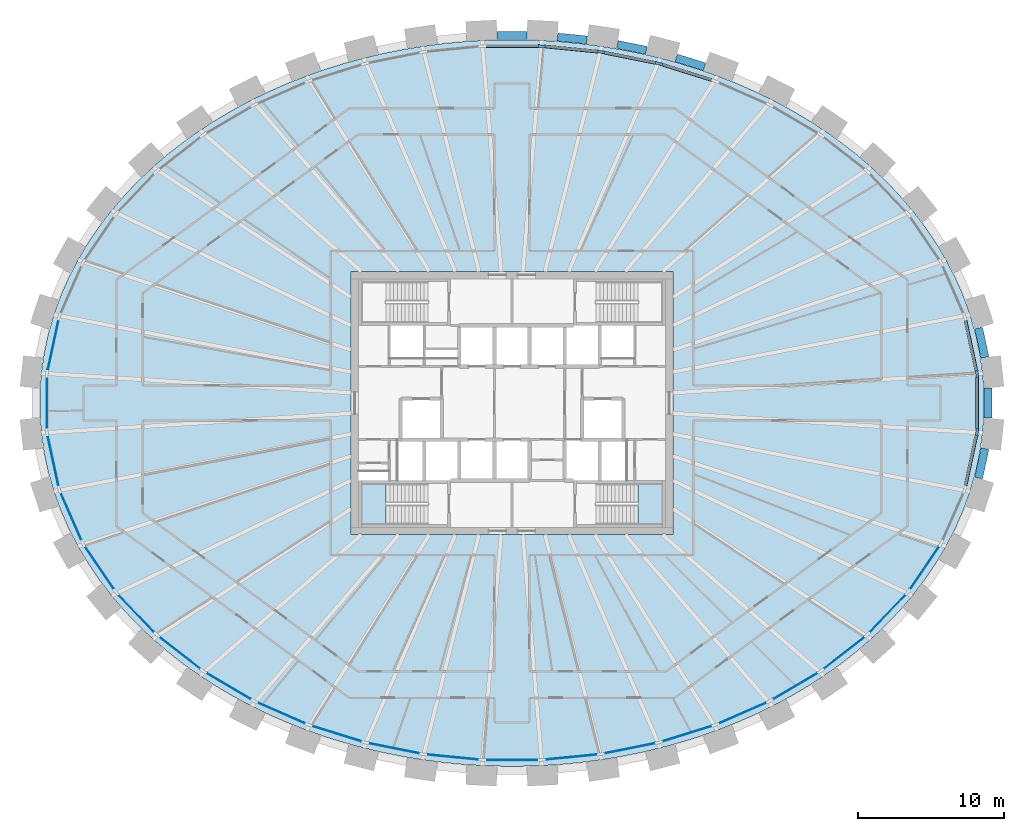
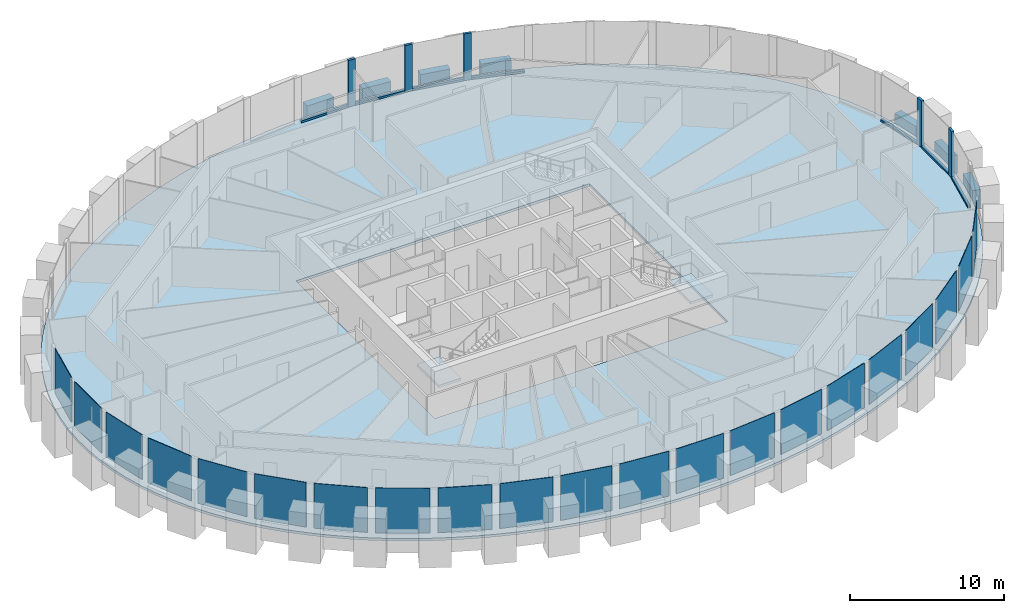
# One storey, part 4 of 12: 21 plates, 12 members, 7 beams, 3 slabs, 3 elements without a shape of their own.
"""IFC4 building model written with IfcOpenShell, lengths in metres."""

from ifc_helpers import new_model, si_unit, direction, frame, origin, origin_2d, place, context, subcontext, project, spatial, polyline, rectangle, outline, extrude, source, transform, mapped, material, layer, layer_set, material_profile, profile_set, type_object, element, aggregate, save


model = new_model("IFC4")

# Units and contexts
model_context = context("Model", 3, precision=1e-05, world=origin(), true_north=direction((0.0, 1.0)))
body_context = subcontext(model_context, "Body", "Model", "MODEL_VIEW")
ifc_project = project(units=[si_unit("LENGTHUNIT", "METRE"), si_unit("AREAUNIT", "SQUARE_METRE"), si_unit("VOLUMEUNIT", "CUBIC_METRE"), si_unit("PLANEANGLEUNIT", "RADIAN"), si_unit("MASSUNIT", "GRAM", prefix="KILO")], contexts=[model_context])

# Site, building, storey
site_placement = place(None, origin())
site = spatial("IfcSite", under=ifc_project, at=site_placement, CompositionType="ELEMENT")
building_placement = place(site_placement, origin())
building = spatial("IfcBuilding", under=site, at=building_placement, Name="Embergate Tower", CompositionType="ELEMENT")
storey_placement = place(building_placement, frame((0.0, 0.0, 261.699951171875)))
storey = spatial("IfcBuildingStorey", under=building, at=storey_placement, Name="L60", CompositionType="ELEMENT", Elevation=261.699951171875)

# Beams
ifc_material_1 = material(Name="Concrete C60", Category="concrete")
ifc_material_profile_1 = material_profile(ifc_material_1, rectangle(XDim=0.550048828125, YDim=1.5, at=origin_2d()), Name="RC 550x1500")
ifc_profile_set_1 = profile_set([ifc_material_profile_1], Name="Concrete C60")
beam_type = type_object("IfcBeamType", Name="Spandrel beam RC 550x1500 C60", PredefinedType="BEAM", material=ifc_profile_set_1)
shared_shape_1 = source(origin(), body_context, "Body", "SweptSolid", [
    extrude(rectangle(XDim=0.550048828125, YDim=1.5, at=origin_2d()), origin(), (0.0, 0.0, 1.0), 2.05810546875),
])
for number, where, z_axis, x_axis, name in (
    (1, (32.343994140625, 3.116943359375, 0.0), (-0.210444450804, 0.977605816843, 0.0), (-0.977605816843, -0.210444450804, 0.0), "SPN-L60-00"),
    (2, (31.910888671875, -5.12890625, 0.0), (0.210444450804, 0.977605816843, 0.0), (-0.977605816843, 0.210444450804, 0.0), "SPN-L60-42"),
    (3, (32.56591796875, -1.029052734375, 0.0), (0.0, 1.0, 0.0), (-1.0, 0.0, 0.0), "SPN-L60-43"),
):
    element("IfcBeam", number, at=place(storey_placement, frame(where, z_axis=z_axis, x_axis=x_axis)), inside=storey, type_object=beam_type, Name=name, PredefinedType="BEAM", context=body_context, shape_type="MappedRepresentation", body=[
        mapped(shared_shape_1, transform((0.0, 0.0, 0.0))),
    ])
shared_shape_2 = source(origin(), body_context, "Body", "SweptSolid", [
    extrude(rectangle(XDim=0.550048828125, YDim=1.5, at=origin_2d()), origin(), (0.0, 0.0, 1.0), 2.02880859375),
])
beam_1_placement = place(storey_placement, frame((13.1640625, 22.9990234375, 0.0), z_axis=(-0.954800624546, 0.297246980417, 0.0), x_axis=(-0.297246980417, -0.954800624546, 0.0)))
element("IfcBeam", 4, at=beam_1_placement, inside=storey, type_object=beam_type, Name="SPN-L60-07", PredefinedType="BEAM", context=body_context, shape_type="MappedRepresentation", body=[
    mapped(shared_shape_2, transform((0.0, 0.0, 0.0))),
])
shared_shape_3 = source(origin(), body_context, "Body", "SweptSolid", [
    extrude(rectangle(XDim=0.550048828125, YDim=1.5, at=origin_2d()), origin(), (0.0, 0.0, 1.0), 2.02734375),
])
beam_2_placement = place(storey_placement, frame((9.19189453125, 24.1220703125, 0.0), z_axis=(-0.980543602706, 0.196301409041, 0.0), x_axis=(-0.196301409041, -0.980543602706, 0.0)))
element("IfcBeam", 5, at=beam_2_placement, inside=storey, type_object=beam_type, Name="SPN-L60-08", PredefinedType="BEAM", context=body_context, shape_type="MappedRepresentation", body=[
    mapped(shared_shape_3, transform((0.0, 0.0, 0.0))),
])
shared_shape_4 = source(origin(), body_context, "Body", "SweptSolid", [
    extrude(rectangle(XDim=0.550048828125, YDim=1.5, at=origin_2d()), origin(), (0.0, 0.0, 1.0), 2.025634765625),
])
beam_3_placement = place(storey_placement, frame((5.126953125, 24.830078125, 0.0), z_axis=(-0.995211067802, 0.097749324935, 0.0), x_axis=(-0.097749324935, -0.995211067802, 0.0)))
element("IfcBeam", 6, at=beam_3_placement, inside=storey, type_object=beam_type, Name="SPN-L60-09", PredefinedType="BEAM", context=body_context, shape_type="MappedRepresentation", body=[
    mapped(shared_shape_4, transform((0.0, 0.0, 0.0))),
])
shared_shape_5 = source(origin(), body_context, "Body", "SweptSolid", [
    extrude(rectangle(XDim=0.550048828125, YDim=1.5, at=origin_2d()), origin(), (0.0, 0.0, 1.0), 2.02587890625),
])
beam_4_placement = place(storey_placement, frame((1.012939453125, 25.131103515625, 0.0), z_axis=(-1.0, 0.0, 0.0), x_axis=(0.0, -1.0, 0.0)))
element("IfcBeam", 7, at=beam_4_placement, inside=storey, type_object=beam_type, Name="SPN-L60-10", PredefinedType="BEAM", context=body_context, shape_type="MappedRepresentation", body=[
    mapped(shared_shape_5, transform((0.0, 0.0, 0.0))),
])

# Curtain wall, members
ifc_material_2 = material(Name="Aluminium and glass", Category="aluminium")
curtain_wall_type = type_object("IfcCurtainWallType", Name="Recessed office glazing", PredefinedType="NOTDEFINED", material=ifc_material_2)
curtain_wall_placement = place(storey_placement, origin())
curtain_wall = element("IfcCurtainWall", 8, at=curtain_wall_placement, inside=storey, type_object=curtain_wall_type, Name="Recessed office glazing ring", ObjectType="RECESSED OFFICE GLAZING", PredefinedType="USERDEFINED")
ifc_material_3 = material(Name="Aluminium, thermally broken", Category="aluminium")
ifc_material_profile_2 = material_profile(ifc_material_3, rectangle(XDim=0.179931640625, YDim=0.52001953125, at=origin_2d()), Name="AL 520x180")
ifc_profile_set_2 = profile_set([ifc_material_profile_2], Name="Aluminium, thermally broken")
member_type_1 = type_object("IfcMemberType", Name="Office mullion", PredefinedType="MULLION", material=ifc_profile_set_2)
shared_shape_6 = source(origin(), body_context, "Body", "SweptSolid", [
    extrude(rectangle(XDim=0.179931640625, YDim=0.52001953125, at=origin_2d()), origin(), (0.0, 0.0, 1.0), 3.699951171875),
])
member_1_placement = place(storey_placement, frame((31.802490234375, 2.003173828125, 0.0), z_axis=(0.0, 0.0, 1.0), x_axis=(-0.994384400633, -0.105828463931, 0.0)))
member_1 = element("IfcMember", 9, at=member_1_placement, type_object=member_type_1, Name="CW mullion 1", PredefinedType="MULLION", context=body_context, shape_type="MappedRepresentation", body=[
    mapped(shared_shape_6, transform((0.0, 0.0, 0.0))),
])
member_2_placement = place(storey_placement, frame((10.0439453125, 23.2119140625, 0.0), z_axis=(0.0, 0.0, 1.0), x_axis=(-0.247308499144, -0.96893679167, 0.0)))
member_2 = element("IfcMember", 10, at=member_2_placement, type_object=member_type_1, Name="CW mullion 9", PredefinedType="MULLION", context=body_context, shape_type="MappedRepresentation", body=[
    mapped(shared_shape_6, transform((0.0, 0.0, 0.0))),
])
member_3_placement = place(storey_placement, frame((6.06689453125, 24.009521484375, 0.0), z_axis=(0.0, 0.0, 1.0), x_axis=(-0.147410656556, -0.989075375456, 0.0)))
member_3 = element("IfcMember", 11, at=member_3_placement, type_object=member_type_1, Name="CW mullion 10", PredefinedType="MULLION", context=body_context, shape_type="MappedRepresentation", body=[
    mapped(shared_shape_6, transform((0.0, 0.0, 0.0))),
])
member_4_placement = place(storey_placement, frame((2.02880859375, 24.406494140625, 0.0), z_axis=(0.0, 0.0, 1.0), x_axis=(-0.048970053385, -0.998800247232, 0.0)))
member_4 = element("IfcMember", 12, at=member_4_placement, type_object=member_type_1, Name="CW mullion 11", PredefinedType="MULLION", context=body_context, shape_type="MappedRepresentation", body=[
    mapped(shared_shape_6, transform((0.0, 0.0, 0.0))),
])
member_5_placement = place(storey_placement, frame((31.802490234375, -2.003173828125, 0.0), z_axis=(0.0, 0.0, 1.0), x_axis=(-0.994384400633, 0.105828463931, 0.0)))
member_5 = element("IfcMember", 13, at=member_5_placement, type_object=member_type_1, Name="CW mullion 44", PredefinedType="MULLION", context=body_context, shape_type="MappedRepresentation", body=[
    mapped(shared_shape_6, transform((0.0, 0.0, 0.0))),
])
ifc_material_profile_3 = material_profile(ifc_material_3, rectangle(XDim=0.179931640625, YDim=0.14990234375, at=origin_2d()), Name="AL 150x180")
ifc_profile_set_3 = profile_set([ifc_material_profile_3], Name="Aluminium, thermally broken")
member_type_2 = type_object("IfcMemberType", Name="Office sill transom", PredefinedType="USERDEFINED", material=ifc_profile_set_3)
shared_shape_7 = source(origin(), body_context, "Body", "SweptSolid", [
    extrude(rectangle(XDim=0.179931640625, YDim=0.14990234375, at=origin_2d()), origin(), (0.0, 0.0, 1.0), 3.4892578125),
])
member_6_placement = place(storey_placement, frame((31.747802734375, 2.25732421875, 0.074951171875), z_axis=(-0.21033180344, 0.977630059103, 0.0), x_axis=(-0.977630059103, -0.21033180344, 0.0)))
member_6 = element("IfcMember", 14, at=member_6_placement, type_object=member_type_2, Name="CW transom 1.1", ObjectType="TRANSOM", PredefinedType="USERDEFINED", context=body_context, shape_type="MappedRepresentation", body=[
    mapped(shared_shape_7, transform((0.0, 0.0, 0.0))),
])
member_7_placement = place(storey_placement, frame((31.013916015625, -5.66845703125, 0.074951171875), z_axis=(0.21033180344, 0.977630059103, 0.0), x_axis=(-0.977630059103, 0.21033180344, 0.0)))
member_7 = element("IfcMember", 15, at=member_7_placement, type_object=member_type_2, Name="CW transom 43.1", ObjectType="TRANSOM", PredefinedType="USERDEFINED", context=body_context, shape_type="MappedRepresentation", body=[
    mapped(shared_shape_7, transform((0.0, 0.0, 0.0))),
])
shared_shape_8 = source(origin(), body_context, "Body", "SweptSolid", [
    extrude(rectangle(XDim=0.179931640625, YDim=0.14990234375, at=origin_2d()), origin(), (0.0, 0.0, 1.0), 3.5341796875),
])
member_8_placement = place(storey_placement, frame((13.66650390625, 22.083740234375, 0.074951171875), z_axis=(-0.954775746564, 0.297326880342, 0.0), x_axis=(-0.297326880342, -0.954775746564, 0.0)))
member_8 = element("IfcMember", 16, at=member_8_placement, type_object=member_type_2, Name="CW transom 8.1", ObjectType="TRANSOM", PredefinedType="USERDEFINED", context=body_context, shape_type="MappedRepresentation", body=[
    mapped(shared_shape_8, transform((0.0, 0.0, 0.0))),
])
shared_shape_9 = source(origin(), body_context, "Body", "SweptSolid", [
    extrude(rectangle(XDim=0.179931640625, YDim=0.14990234375, at=origin_2d()), origin(), (0.0, 0.0, 1.0), 3.5361328125),
])
member_9_placement = place(storey_placement, frame((9.7890625, 23.262939453125, 0.074951171875), z_axis=(-0.980463661571, 0.196700300811, 0.0), x_axis=(-0.196700300811, -0.980463661571, 0.0)))
member_9 = element("IfcMember", 17, at=member_9_placement, type_object=member_type_2, Name="CW transom 9.1", ObjectType="TRANSOM", PredefinedType="USERDEFINED", context=body_context, shape_type="MappedRepresentation", body=[
    mapped(shared_shape_9, transform((0.0, 0.0, 0.0))),
])
shared_shape_10 = source(origin(), body_context, "Body", "SweptSolid", [
    extrude(rectangle(XDim=0.179931640625, YDim=0.14990234375, at=origin_2d()), origin(), (0.0, 0.0, 1.0), 3.53759765625),
])
member_10_placement = place(storey_placement, frame((5.80810546875, 24.034912109375, 0.074951171875), z_axis=(-0.99519983538, 0.097863617654, 0.0), x_axis=(-0.097863617654, -0.99519983538, 0.0)))
member_10 = element("IfcMember", 18, at=member_10_placement, type_object=member_type_2, Name="CW transom 10.1", ObjectType="TRANSOM", PredefinedType="USERDEFINED", context=body_context, shape_type="MappedRepresentation", body=[
    mapped(shared_shape_10, transform((0.0, 0.0, 0.0))),
])
member_11_placement = place(storey_placement, frame((1.768798828125, 24.406494140625, 0.074951171875), z_axis=(-1.0, 0.0, 0.0), x_axis=(0.0, -1.0, 0.0)))
member_11 = element("IfcMember", 19, at=member_11_placement, type_object=member_type_2, Name="CW transom 11.1", ObjectType="TRANSOM", PredefinedType="USERDEFINED", context=body_context, shape_type="MappedRepresentation", body=[
    mapped(shared_shape_10, transform((0.0, 0.0, 0.0))),
])
shared_shape_11 = source(origin(), body_context, "Body", "SweptSolid", [
    extrude(rectangle(XDim=0.179931640625, YDim=0.14990234375, at=origin_2d()), origin(), (0.0, 0.0, 1.0), 3.486328125),
])
member_12_placement = place(storey_placement, frame((31.802490234375, -1.7431640625, 0.074951171875), z_axis=(0.0, 1.0, 0.0), x_axis=(-1.0, 0.0, 0.0)))
member_12 = element("IfcMember", 20, at=member_12_placement, type_object=member_type_2, Name="CW transom 44.1", ObjectType="TRANSOM", PredefinedType="USERDEFINED", context=body_context, shape_type="MappedRepresentation", body=[
    mapped(shared_shape_11, transform((0.0, 0.0, 0.0))),
])

# Slab
ifc_material_4 = material(Name="Concrete C40", Category="concrete")
ifc_layer_1 = layer(ifc_material_4, 0.199951171875)
ifc_layer_set_1 = layer_set([ifc_layer_1], Name="Concrete C40")
slab_type_1 = type_object("IfcSlabType", Name="Composite floor slab C40 200", PredefinedType="FLOOR", material=ifc_layer_set_1)
shared_shape_12 = source(origin(), body_context, "Body", "SweptSolid", [
    extrude(outline(polyline([(0.0, 0.0), (1.3662109375, 0.0), (2.731201171875, 0.044189453125), (4.09716796875, 0.133056640625), (5.4560546875, 0.26708984375), (6.80712890625, 0.445068359375), (8.16015625, 0.669189453125), (9.5, 0.93798828125), (10.822998046875, 1.25), (12.149169921875, 1.612060546875), (13.453125, 2.01806640625), (14.734130859375, 2.468017578125), (16.01611328125, 2.97216796875), (17.26708984375, 3.51904296875), (18.486083984375, 4.109130859375), (19.703125, 4.759033203125), (20.881103515625, 5.451171875), (22.01611328125, 6.18408203125), (23.14306640625, 6.984130859375), (24.22021484375, 7.8251953125), (25.244140625, 8.703125), (26.248046875, 9.655029296875), (27.191162109375, 10.64306640625), (28.069091796875, 11.666015625), (28.9111328125, 12.76318359375), (29.67822265625, 13.89208984375), (30.3701171875, 15.050048828125), (31.003173828125, 16.276123046875), (31.552001953125, 17.526123046875), (32.01318359375, 18.796142578125), (32.39404296875, 20.1171875), (32.68115234375, 21.451171875), (32.873046875, 22.795166015625), (32.97119140625, 24.158203125), (32.97119140625, 25.52197265625), (32.873046875, 26.885009765625), (32.68115234375, 28.22900390625), (32.39404296875, 29.56298828125), (32.01318359375, 30.884033203125), (31.552001953125, 32.154052734375), (31.003173828125, 33.404052734375), (30.3701171875, 34.630126953125), (29.67822265625, 35.7880859375), (28.9111328125, 36.9169921875), (28.069091796875, 38.01416015625), (27.191162109375, 39.037109375), (26.248046875, 40.025146484375), (25.244140625, 40.97705078125), (24.22021484375, 41.85498046875), (23.14306640625, 42.696044921875), (22.01611328125, 43.49609375), (20.881103515625, 44.22900390625), (19.703125, 44.921142578125), (18.486083984375, 45.571044921875), (17.26708984375, 46.1611328125), (16.01611328125, 46.7080078125), (14.734130859375, 47.212158203125), (13.453125, 47.662109375), (12.149169921875, 48.068115234375), (10.822998046875, 48.43017578125), (9.5, 48.7421875), (8.16015625, 49.010986328125), (6.80712890625, 49.235107421875), (5.4560546875, 49.4130859375), (4.09716796875, 49.547119140625), (2.731201171875, 49.635986328125), (1.3662109375, 49.68017578125), (0.0, 49.68017578125), (-1.364990234375, 49.635986328125), (-2.73095703125, 49.547119140625), (-4.08984375, 49.4130859375), (-5.44091796875, 49.235107421875), (-6.7939453125, 49.010986328125), (-8.1337890625, 48.7421875), (-9.456787109375, 48.43017578125), (-10.782958984375, 48.068115234375), (-12.0869140625, 47.662109375), (-13.367919921875, 47.212158203125), (-14.64990234375, 46.7080078125), (-15.90087890625, 46.1611328125), (-17.119873046875, 45.571044921875), (-18.3369140625, 44.921142578125), (-19.514892578125, 44.22900390625), (-20.64990234375, 43.49609375), (-21.77685546875, 42.696044921875), (-22.85400390625, 41.85498046875), (-23.8779296875, 40.97705078125), (-24.8818359375, 40.025146484375), (-25.824951171875, 39.037109375), (-26.702880859375, 38.01416015625), (-27.544921875, 36.9169921875), (-28.31201171875, 35.7880859375), (-29.00390625, 34.630126953125), (-29.636962890625, 33.404052734375), (-30.185791015625, 32.154052734375), (-30.64697265625, 30.884033203125), (-31.02783203125, 29.56298828125), (-31.31494140625, 28.22900390625), (-31.5068359375, 26.885009765625), (-31.60498046875, 25.52197265625), (-31.60498046875, 24.158203125), (-31.5068359375, 22.795166015625), (-31.31494140625, 21.451171875), (-31.02783203125, 20.1171875), (-30.64697265625, 18.796142578125), (-30.185791015625, 17.526123046875), (-29.636962890625, 16.276123046875), (-29.00390625, 15.050048828125), (-28.31201171875, 13.89208984375), (-27.544921875, 12.76318359375), (-26.702880859375, 11.666015625), (-25.824951171875, 10.64306640625), (-24.8818359375, 9.655029296875), (-23.8779296875, 8.703125), (-22.85400390625, 7.8251953125), (-21.77685546875, 6.984130859375), (-20.64990234375, 6.18408203125), (-19.514892578125, 5.451171875), (-18.3369140625, 4.759033203125), (-17.119873046875, 4.109130859375), (-15.90087890625, 3.51904296875), (-14.64990234375, 2.97216796875), (-13.367919921875, 2.468017578125), (-12.0869140625, 2.01806640625), (-10.782958984375, 1.612060546875), (-9.456787109375, 1.25), (-8.1337890625, 0.93798828125), (-6.7939453125, 0.669189453125), (-5.44091796875, 0.445068359375), (-4.08984375, 0.26708984375), (-2.73095703125, 0.133056640625), (-1.364990234375, 0.044189453125), (0.0, 0.0)]), holes=[polyline([(-10.31689453125, 15.840087890625), (-10.31689453125, 33.840087890625), (11.68310546875, 33.840087890625), (11.68310546875, 15.840087890625), (-10.31689453125, 15.840087890625)])]), origin(), (0.0, 0.0, 1.0), 0.199951171875),
])
slab_1_placement = place(storey_placement, frame((-0.68310546875, -24.840087890625, -0.199951171875)))
element("IfcSlab", 21, at=slab_1_placement, inside=storey, type_object=slab_type_1, Name="SLB-L60-00", PredefinedType="FLOOR", context=body_context, shape_type="MappedRepresentation", body=[
    mapped(shared_shape_12, transform((0.0, 0.0, 0.0))),
])

# Plate
ifc_material_5 = material(Name="Triple glazing, low-emissivity coating", Category="glass")
ifc_layer_2 = layer(ifc_material_5, 0.035888671875)
ifc_layer_set_2 = layer_set([ifc_layer_2], Name="Triple glazing, low-emissivity coating")
plate_type = type_object("IfcPlateType", Name="Office glazing unit", PredefinedType="CURTAIN_PANEL", material=ifc_layer_set_2)
shared_shape_13 = source(origin(), body_context, "Body", "SweptSolid", [
    extrude(rectangle(XDim=3.489013671875, YDim=0.035888671875, at=origin_2d()), origin(), (0.0, 0.0, 1.0), 3.550048828125),
])
plate_1_placement = place(storey_placement, frame((-31.380859375, 3.962890625, 0.14990234375), z_axis=(0.0, 0.0, 1.0), x_axis=(-0.210401803698, -0.977614996305, 0.0)))
plate_1 = element("IfcPlate", 22, at=plate_1_placement, type_object=plate_type, Name="CW panel 21.1", PredefinedType="CURTAIN_PANEL", context=body_context, shape_type="MappedRepresentation", body=[
    mapped(shared_shape_13, transform((0.0, 0.0, 0.0))),
])

plate_2_placement = place(storey_placement, frame((-31.380859375, -3.962890625, 0.14990234375), z_axis=(0.0, 0.0, 1.0), x_axis=(0.210401803698, -0.977614996305, 0.0)))
plate_2 = element("IfcPlate", 23, at=plate_2_placement, type_object=plate_type, Name="CW panel 23.1", PredefinedType="CURTAIN_PANEL", context=body_context, shape_type="MappedRepresentation", body=[
    mapped(shared_shape_13, transform((0.0, 0.0, 0.0))),
])

shared_shape_14 = source(origin(), body_context, "Body", "SweptSolid", [
    extrude(rectangle(XDim=3.495849609375, YDim=0.035888671875, at=origin_2d()), origin(), (0.0, 0.0, 1.0), 3.550048828125),
])
plate_3_placement = place(storey_placement, frame((-30.152587890625, -7.761474609375, 0.14990234375), z_axis=(0.0, 0.0, 1.0), x_axis=(0.401656896229, -0.915790225822, 0.0)))
plate_3 = element("IfcPlate", 24, at=plate_3_placement, type_object=plate_type, Name="CW panel 24.1", PredefinedType="CURTAIN_PANEL", context=body_context, shape_type="MappedRepresentation", body=[
    mapped(shared_shape_14, transform((0.0, 0.0, 0.0))),
])

shared_shape_15 = source(origin(), body_context, "Body", "SweptSolid", [
    extrude(rectangle(XDim=3.504638671875, YDim=0.035888671875, at=origin_2d()), origin(), (0.0, 0.0, 1.0), 3.550048828125),
])
plate_4_placement = place(storey_placement, frame((-28.214599609375, -11.264404296875, 0.14990234375), z_axis=(0.0, 0.0, 1.0), x_axis=(0.562346071572, -0.826901986809, 0.0)))
plate_4 = element("IfcPlate", 25, at=plate_4_placement, type_object=plate_type, Name="CW panel 25.1", PredefinedType="CURTAIN_PANEL", context=body_context, shape_type="MappedRepresentation", body=[
    mapped(shared_shape_15, transform((0.0, 0.0, 0.0))),
])

plate_5_placement = place(storey_placement, frame((28.214599609375, -11.264404296875, 0.14990234375), z_axis=(0.0, 0.0, 1.0), x_axis=(0.562346071572, 0.826901986809, 0.0)))
plate_5 = element("IfcPlate", 26, at=plate_5_placement, type_object=plate_type, Name="CW panel 41.1", PredefinedType="CURTAIN_PANEL", context=body_context, shape_type="MappedRepresentation", body=[
    mapped(shared_shape_15, transform((0.0, 0.0, 0.0))),
])

shared_shape_16 = source(origin(), body_context, "Body", "SweptSolid", [
    extrude(rectangle(XDim=3.51318359375, YDim=0.035888671875, at=origin_2d()), origin(), (0.0, 0.0, 1.0), 3.550048828125),
])
plate_6_placement = place(storey_placement, frame((-25.691162109375, -14.3876953125, 0.14990234375), z_axis=(0.0, 0.0, 1.0), x_axis=(0.690137573644, -0.723678194673, 0.0)))
plate_6 = element("IfcPlate", 27, at=plate_6_placement, type_object=plate_type, Name="CW panel 26.1", PredefinedType="CURTAIN_PANEL", context=body_context, shape_type="MappedRepresentation", body=[
    mapped(shared_shape_16, transform((0.0, 0.0, 0.0))),
])

plate_7_placement = place(storey_placement, frame((25.691162109375, -14.3876953125, 0.14990234375), z_axis=(0.0, 0.0, 1.0), x_axis=(0.690137573644, 0.723678194673, 0.0)))
plate_7 = element("IfcPlate", 28, at=plate_7_placement, type_object=plate_type, Name="CW panel 40.1", PredefinedType="CURTAIN_PANEL", context=body_context, shape_type="MappedRepresentation", body=[
    mapped(shared_shape_16, transform((0.0, 0.0, 0.0))),
])

shared_shape_17 = source(origin(), body_context, "Body", "SweptSolid", [
    extrude(rectangle(XDim=3.5205078125, YDim=0.035888671875, at=origin_2d()), origin(), (0.0, 0.0, 1.0), 3.550048828125),
])
plate_8_placement = place(storey_placement, frame((-22.706787109375, -17.08984375, 0.14990234375), z_axis=(0.0, 0.0, 1.0), x_axis=(0.788322266931, -0.615262548398, 0.0)))
plate_8 = element("IfcPlate", 29, at=plate_8_placement, type_object=plate_type, Name="CW panel 27.1", PredefinedType="CURTAIN_PANEL", context=body_context, shape_type="MappedRepresentation", body=[
    mapped(shared_shape_17, transform((0.0, 0.0, 0.0))),
])

plate_9_placement = place(storey_placement, frame((22.706787109375, -17.08984375, 0.14990234375), z_axis=(0.0, 0.0, 1.0), x_axis=(0.788322266931, 0.615262548398, 0.0)))
plate_9 = element("IfcPlate", 30, at=plate_9_placement, type_object=plate_type, Name="CW panel 39.1", PredefinedType="CURTAIN_PANEL", context=body_context, shape_type="MappedRepresentation", body=[
    mapped(shared_shape_17, transform((0.0, 0.0, 0.0))),
])

shared_shape_18 = source(origin(), body_context, "Body", "SweptSolid", [
    extrude(rectangle(XDim=3.5263671875, YDim=0.035888671875, at=origin_2d()), origin(), (0.0, 0.0, 1.0), 3.550048828125),
])
plate_10_placement = place(storey_placement, frame((-19.370361328125, -19.358154296875, 0.14990234375), z_axis=(0.0, 0.0, 1.0), x_axis=(0.862054936934, -0.506814843614, 0.0)))
plate_10 = element("IfcPlate", 31, at=plate_10_placement, type_object=plate_type, Name="CW panel 28.1", PredefinedType="CURTAIN_PANEL", context=body_context, shape_type="MappedRepresentation", body=[
    mapped(shared_shape_18, transform((0.0, 0.0, 0.0))),
])

plate_11_placement = place(storey_placement, frame((19.370361328125, -19.358154296875, 0.14990234375), z_axis=(0.0, 0.0, 1.0), x_axis=(0.862054936934, 0.506814843614, 0.0)))
plate_11 = element("IfcPlate", 32, at=plate_11_placement, type_object=plate_type, Name="CW panel 38.1", PredefinedType="CURTAIN_PANEL", context=body_context, shape_type="MappedRepresentation", body=[
    mapped(shared_shape_18, transform((0.0, 0.0, 0.0))),
])

shared_shape_19 = source(origin(), body_context, "Body", "SweptSolid", [
    extrude(rectangle(XDim=3.53076171875, YDim=0.035888671875, at=origin_2d()), origin(), (0.0, 0.0, 1.0), 3.550048828125),
])
plate_12_placement = place(storey_placement, frame((-15.7705078125, -21.195068359375, 0.14990234375), z_axis=(0.0, 0.0, 1.0), x_axis=(0.916236910986, -0.400636896638, 0.0)))
plate_12 = element("IfcPlate", 33, at=plate_12_placement, type_object=plate_type, Name="CW panel 29.1", PredefinedType="CURTAIN_PANEL", context=body_context, shape_type="MappedRepresentation", body=[
    mapped(shared_shape_19, transform((0.0, 0.0, 0.0))),
])

plate_13_placement = place(storey_placement, frame((15.7705078125, -21.195068359375, 0.14990234375), z_axis=(0.0, 0.0, 1.0), x_axis=(0.916236910986, 0.400636896638, 0.0)))
plate_13 = element("IfcPlate", 34, at=plate_13_placement, type_object=plate_type, Name="CW panel 37.1", PredefinedType="CURTAIN_PANEL", context=body_context, shape_type="MappedRepresentation", body=[
    mapped(shared_shape_19, transform((0.0, 0.0, 0.0))),
])

shared_shape_20 = source(origin(), body_context, "Body", "SweptSolid", [
    extrude(rectangle(XDim=3.533935546875, YDim=0.035888671875, at=origin_2d()), origin(), (0.0, 0.0, 1.0), 3.550048828125),
])
plate_14_placement = place(storey_placement, frame((-11.9794921875, -22.609130859375, 0.14990234375), z_axis=(0.0, 0.0, 1.0), x_axis=(0.954772736126, -0.297336547283, 0.0)))
plate_14 = element("IfcPlate", 35, at=plate_14_placement, type_object=plate_type, Name="CW panel 30.1", PredefinedType="CURTAIN_PANEL", context=body_context, shape_type="MappedRepresentation", body=[
    mapped(shared_shape_20, transform((0.0, 0.0, 0.0))),
])

plate_15_placement = place(storey_placement, frame((11.9794921875, -22.609130859375, 0.14990234375), z_axis=(0.0, 0.0, 1.0), x_axis=(0.954772736126, 0.297336547283, 0.0)))
plate_15 = element("IfcPlate", 36, at=plate_15_placement, type_object=plate_type, Name="CW panel 36.1", PredefinedType="CURTAIN_PANEL", context=body_context, shape_type="MappedRepresentation", body=[
    mapped(shared_shape_20, transform((0.0, 0.0, 0.0))),
])

shared_shape_21 = source(origin(), body_context, "Body", "SweptSolid", [
    extrude(rectangle(XDim=3.5361328125, YDim=0.035888671875, at=origin_2d()), origin(), (0.0, 0.0, 1.0), 3.550048828125),
])
plate_16_placement = place(storey_placement, frame((-8.055419921875, -23.610595703125, 0.14990234375), z_axis=(0.0, 0.0, 1.0), x_axis=(0.980475907409, -0.196639250889, 0.0)))
plate_16 = element("IfcPlate", 37, at=plate_16_placement, type_object=plate_type, Name="CW panel 31.1", PredefinedType="CURTAIN_PANEL", context=body_context, shape_type="MappedRepresentation", body=[
    mapped(shared_shape_21, transform((0.0, 0.0, 0.0))),
])

plate_17_placement = place(storey_placement, frame((8.055419921875, -23.610595703125, 0.14990234375), z_axis=(0.0, 0.0, 1.0), x_axis=(0.980475907409, 0.196639250889, 0.0)))
plate_17 = element("IfcPlate", 38, at=plate_17_placement, type_object=plate_type, Name="CW panel 35.1", PredefinedType="CURTAIN_PANEL", context=body_context, shape_type="MappedRepresentation", body=[
    mapped(shared_shape_21, transform((0.0, 0.0, 0.0))),
])

shared_shape_22 = source(origin(), body_context, "Body", "SweptSolid", [
    extrude(rectangle(XDim=3.53759765625, YDim=0.035888671875, at=origin_2d()), origin(), (0.0, 0.0, 1.0), 3.550048828125),
])
plate_18_placement = place(storey_placement, frame((-4.048095703125, -24.2080078125, 0.14990234375), z_axis=(0.0, 0.0, 1.0), x_axis=(0.995203184788, -0.097829550688, 0.0)))
plate_18 = element("IfcPlate", 39, at=plate_18_placement, type_object=plate_type, Name="CW panel 32.1", PredefinedType="CURTAIN_PANEL", context=body_context, shape_type="MappedRepresentation", body=[
    mapped(shared_shape_22, transform((0.0, 0.0, 0.0))),
])

plate_19_placement = place(storey_placement, frame((4.048095703125, -24.2080078125, 0.14990234375), z_axis=(0.0, 0.0, 1.0), x_axis=(0.995203184788, 0.097829550688, 0.0)))
plate_19 = element("IfcPlate", 40, at=plate_19_placement, type_object=plate_type, Name="CW panel 34.1", PredefinedType="CURTAIN_PANEL", context=body_context, shape_type="MappedRepresentation", body=[
    mapped(shared_shape_22, transform((0.0, 0.0, 0.0))),
])

shared_shape_23 = source(origin(), body_context, "Body", "SweptSolid", [
    extrude(rectangle(XDim=3.537841796875, YDim=0.035888671875, at=origin_2d()), origin(), (0.0, 0.0, 1.0), 3.550048828125),
])
plate_20_placement = place(storey_placement, frame((0.0, -24.406494140625, 0.14990234375), z_axis=(0.0, 0.0, 1.0), x_axis=(1.0, 0.0, 0.0)))
plate_20 = element("IfcPlate", 41, at=plate_20_placement, type_object=plate_type, Name="CW panel 33.1", PredefinedType="CURTAIN_PANEL", context=body_context, shape_type="MappedRepresentation", body=[
    mapped(shared_shape_23, transform((0.0, 0.0, 0.0))),
])

shared_shape_24 = source(origin(), body_context, "Body", "SweptSolid", [
    extrude(rectangle(XDim=3.486572265625, YDim=0.035888671875, at=origin_2d()), origin(), (0.0, 0.0, 1.0), 3.550048828125),
])
plate_21_placement = place(storey_placement, frame((-31.802490234375, 0.0, 0.14990234375), z_axis=(0.0, 0.0, 1.0), x_axis=(0.0, -1.0, 0.0)))
plate_21 = element("IfcPlate", 42, at=plate_21_placement, type_object=plate_type, Name="CW panel 22.1", PredefinedType="CURTAIN_PANEL", context=body_context, shape_type="MappedRepresentation", body=[
    mapped(shared_shape_24, transform((0.0, 0.0, 0.0))),
])

aggregate(curtain_wall, [member_1, member_2, member_3, member_4, member_5, member_6, member_8, member_9, member_10, member_11, plate_1, plate_21, plate_2, plate_3, plate_4, plate_6, plate_8, plate_10, plate_12, plate_14, plate_16, plate_18, plate_20, plate_19, plate_17, plate_15, plate_13, plate_11, plate_9, plate_7, plate_5, member_7, member_12])

# Stair, slab
ifc_material_6 = material(Name="Exit stair")
stair_type = type_object("IfcStairType", Name="Exit stair", PredefinedType="HALF_TURN_STAIR", material=ifc_material_6)
stair_1_placement = place(storey_placement, origin())
stair_1 = element("IfcStair", 43, at=stair_1_placement, inside=storey, type_object=stair_type, Name="L60 Exit stair 3", PredefinedType="HALF_TURN_STAIR")
ifc_layer_3 = layer(ifc_material_4, 0.199951171875)
ifc_layer_set_3 = layer_set([ifc_layer_3], Name="Concrete C40")
slab_type_2 = type_object("IfcSlabType", Name="Stair landing reinforced concrete", PredefinedType="LANDING", material=ifc_layer_set_3)
shared_shape_25 = source(origin(), body_context, "Body", "SweptSolid", [
    extrude(outline(polyline([(0.0, 0.0), (1.68994140625, 0.0), (1.68994140625, 2.800048828125), (0.0, 2.800048828125), (0.0, 0.0)])), origin(), (0.0, 0.0, 1.0), 0.199951171875),
])
slab_2_placement = place(storey_placement, frame((-10.300048828125, -8.300048828125, 1.75)))
slab_2 = element("IfcSlab", 44, at=slab_2_placement, type_object=slab_type_2, Name="ST3 landing 1", PredefinedType="LANDING", context=body_context, shape_type="MappedRepresentation", body=[
    mapped(shared_shape_25, transform((0.0, 0.0, 0.0))),
])
aggregate(stair_1, [slab_2])

stair_2_placement = place(storey_placement, origin())
stair_2 = element("IfcStair", 45, at=stair_2_placement, inside=storey, type_object=stair_type, Name="L60 Exit stair 4", PredefinedType="HALF_TURN_STAIR")
slab_3_placement = place(storey_placement, frame((8.610107421875, -8.300048828125, 1.75)))
slab_3 = element("IfcSlab", 46, at=slab_3_placement, type_object=slab_type_2, Name="ST4 landing 1", PredefinedType="LANDING", context=body_context, shape_type="MappedRepresentation", body=[
    mapped(shared_shape_25, transform((0.0, 0.0, 0.0))),
])
aggregate(stair_2, [slab_3])

save(model, "model.ifc")
